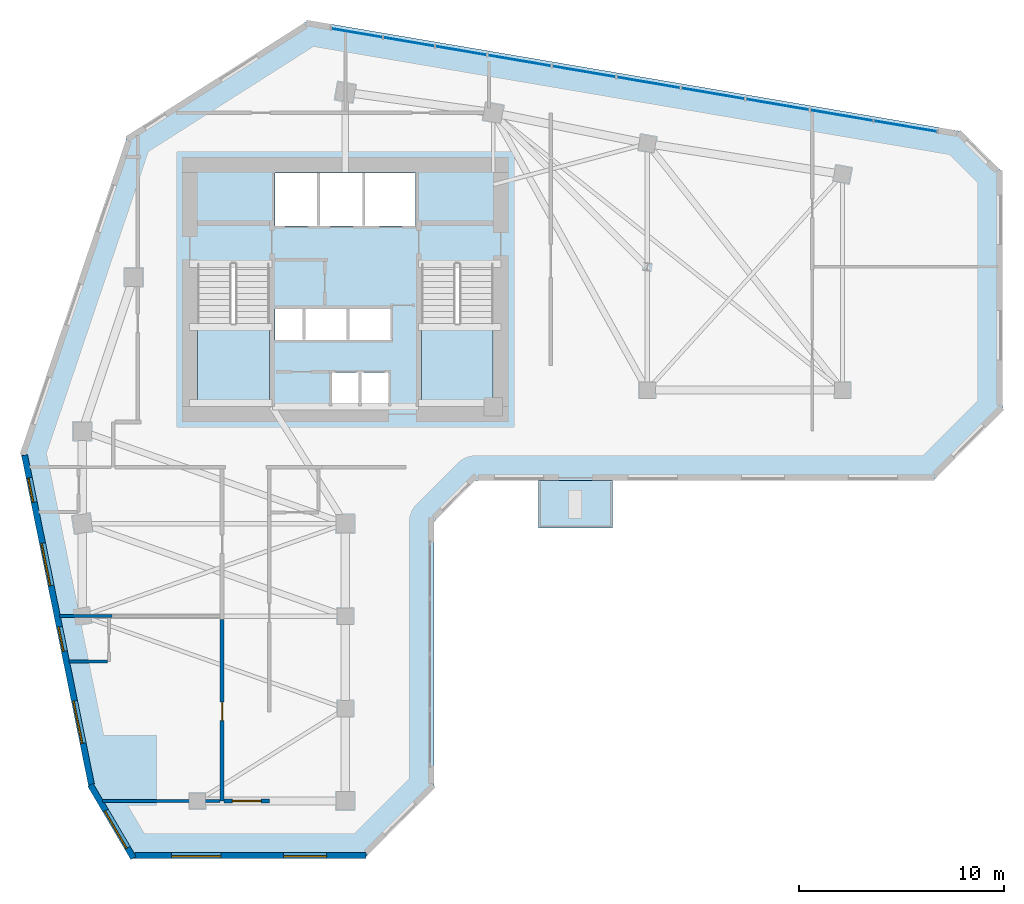
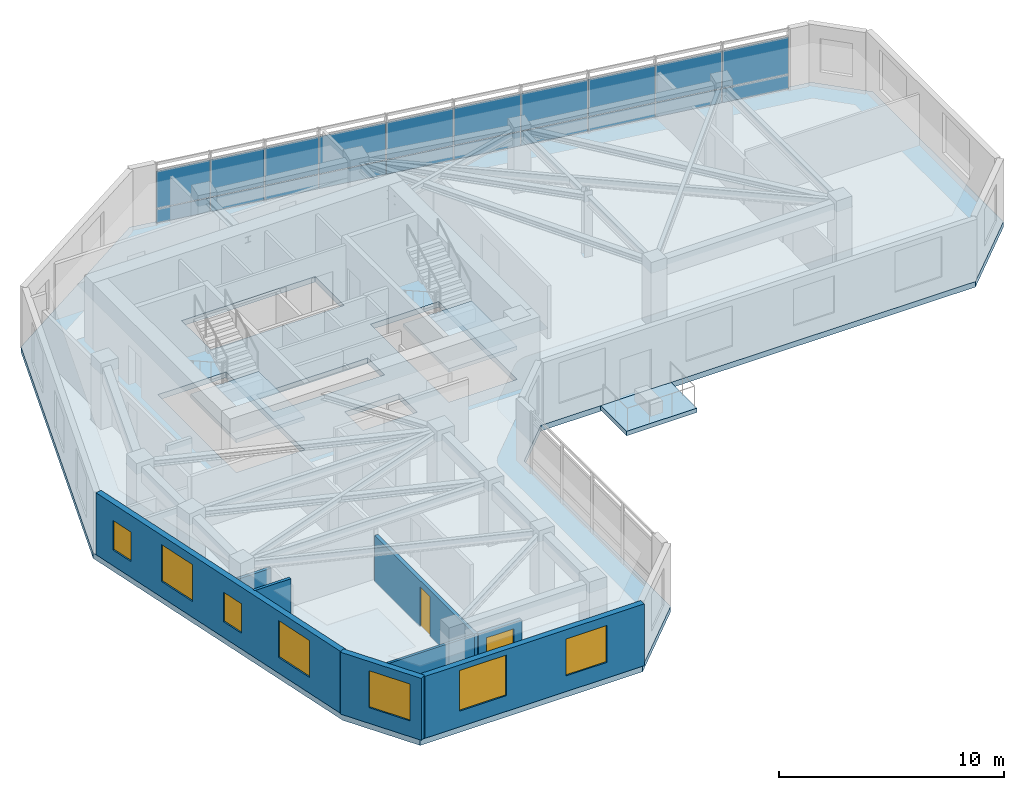
# One storey, part 4 of 10: 20 plates, 8 walls, 7 windows, 4 slabs, 2 doors, 9 openings, 3 elements without a shape of their own.
"""IFC4 building model written with IfcOpenShell, lengths in metres."""

from ifc_helpers import new_model, si_unit, direction, frame, frame_2d, origin, place, context, subcontext, project, spatial, polyline, rectangle, outline, extrude, source, transform, mapped, material, layer, layer_set, type_object, element, fill, aggregate, save


model = new_model("IFC4")

# Units and contexts
model_context = context("Model", 3, precision=1e-05, world=origin(), true_north=direction((0.0, 1.0)))
body_context = subcontext(model_context, "Body", "Model", "MODEL_VIEW")
ifc_project = project(units=[si_unit("LENGTHUNIT", "METRE"), si_unit("AREAUNIT", "SQUARE_METRE"), si_unit("VOLUMEUNIT", "CUBIC_METRE"), si_unit("PLANEANGLEUNIT", "RADIAN"), si_unit("MASSUNIT", "GRAM", prefix="KILO")], contexts=[model_context])

# Site, building, storey
site_placement = place(None, origin())
site = spatial("IfcSite", under=ifc_project, at=site_placement, CompositionType="ELEMENT")
building_placement = place(site_placement, origin())
building = spatial("IfcBuilding", under=site, at=building_placement, Name="Calvemar Wedge Station Tower", CompositionType="ELEMENT")
storey_placement = place(building_placement, frame((0.0, 0.0, 139.39990234375)))
storey = spatial("IfcBuildingStorey", under=building, at=storey_placement, Name="L34", CompositionType="ELEMENT", Elevation=139.39990234375)

# Curtain wall, plates
ifc_material_1 = material(Name="Anodised aluminium 6063-T6", Category="aluminium")
curtain_wall_type = type_object("IfcCurtainWallType", Name="CW2", PredefinedType="NOTDEFINED", material=ifc_material_1)
curtain_wall_placement = place(storey_placement, origin())
curtain_wall = element("IfcCurtainWall", 1, at=curtain_wall_placement, inside=storey, type_object=curtain_wall_type, Name="Storey L34 CW2 Recessed Unitised Curtain Wall 10", PredefinedType="NOTDEFINED")
ifc_material_2 = material(Name="Low-E laminated insulated glass", Category="glass")
ifc_layer_1 = layer(ifc_material_2, 0.028076171875)
ifc_layer_set_1 = layer_set([ifc_layer_1], Name="Low-E laminated insulated glass")
plate_type_1 = type_object("IfcPlateType", Name="CW2-GLZ", PredefinedType="CURTAIN_PANEL", material=ifc_layer_set_1)
plate_1_placement = place(storey_placement, frame((52.615478515625, 47.580322265625, 0.8701171875), z_axis=(0.0, 0.0, 1.0), x_axis=(-0.985834651401, 0.167720124306, 0.0)))
plate_1 = element("IfcPlate", 2, at=plate_1_placement, type_object=plate_type_1, Name="CW2 vision glass panel 1", PredefinedType="CURTAIN_PANEL", context=body_context, shape_type="SweptSolid", body=[
    extrude(rectangle(XDim=3.122314453125, YDim=0.028076171875, at=frame_2d((1.56103515625, 0.0))), origin(), (0.0, 0.0, 1.0), 2.010009765625),
])
plate_2_placement = place(storey_placement, frame((49.501953125, 48.10986328125, 0.8701171875), z_axis=(0.0, 0.0, 1.0), x_axis=(-0.9858453793, 0.167657055066, 0.0)))
plate_2 = element("IfcPlate", 3, at=plate_2_placement, type_object=plate_type_1, Name="CW2 vision glass panel 2", PredefinedType="CURTAIN_PANEL", context=body_context, shape_type="SweptSolid", body=[
    extrude(rectangle(XDim=3.1220703125, YDim=0.028076171875, at=frame_2d((1.56103515625, 0.0))), origin(), (0.0, 0.0, 1.0), 2.010009765625),
])
plate_3_placement = place(storey_placement, frame((46.388427734375, 48.639404296875, 0.8701171875), z_axis=(0.0, 0.0, 1.0), x_axis=(-0.985850081306, 0.167629404309, 0.0)))
plate_3 = element("IfcPlate", 4, at=plate_3_placement, type_object=plate_type_1, Name="CW2 vision glass panel 3", PredefinedType="CURTAIN_PANEL", context=body_context, shape_type="SweptSolid", body=[
    extrude(rectangle(XDim=3.148681640625, YDim=0.028076171875, at=frame_2d((1.57421875, 0.0))), origin(), (0.0, 0.0, 1.0), 2.010009765625),
])
plate_4_placement = place(storey_placement, frame((43.248779296875, 49.17333984375, 0.8701171875), z_axis=(0.0, 0.0, 1.0), x_axis=(-0.985835084584, 0.167717578099, 0.0)))
plate_4 = element("IfcPlate", 5, at=plate_4_placement, type_object=plate_type_1, Name="CW2 vision glass panel 4", PredefinedType="CURTAIN_PANEL", context=body_context, shape_type="SweptSolid", body=[
    extrude(rectangle(XDim=3.148681640625, YDim=0.028076171875, at=frame_2d((1.57421875, 0.0))), origin(), (0.0, 0.0, 1.0), 2.010009765625),
])
plate_5_placement = place(storey_placement, frame((40.109130859375, 49.707275390625, 0.8701171875), z_axis=(0.0, 0.0, 1.0), x_axis=(-0.985847902369, 0.167642218414, 0.0)))
plate_5 = element("IfcPlate", 6, at=plate_5_placement, type_object=plate_type_1, Name="CW2 vision glass panel 5", PredefinedType="CURTAIN_PANEL", context=body_context, shape_type="SweptSolid", body=[
    extrude(rectangle(XDim=3.148681640625, YDim=0.028076171875, at=frame_2d((1.57421875, 0.0))), origin(), (0.0, 0.0, 1.0), 2.010009765625),
])
plate_6_placement = place(storey_placement, frame((36.969482421875, 50.2412109375, 0.8701171875), z_axis=(0.0, 0.0, 1.0), x_axis=(-0.985847902369, 0.167642218414, 0.0)))
plate_6 = element("IfcPlate", 7, at=plate_6_placement, type_object=plate_type_1, Name="CW2 vision glass panel 6", PredefinedType="CURTAIN_PANEL", context=body_context, shape_type="SweptSolid", body=[
    extrude(rectangle(XDim=3.148681640625, YDim=0.028076171875, at=frame_2d((1.57421875, 0.0))), origin(), (0.0, 0.0, 1.0), 2.010009765625),
])
plate_7_placement = place(storey_placement, frame((33.830078125, 50.775146484375, 0.8701171875), z_axis=(0.0, 0.0, 1.0), x_axis=(-0.985850081306, 0.167629404309, 0.0)))
plate_7 = element("IfcPlate", 8, at=plate_7_placement, type_object=plate_type_1, Name="CW2 vision glass panel 7", PredefinedType="CURTAIN_PANEL", context=body_context, shape_type="SweptSolid", body=[
    extrude(rectangle(XDim=3.148681640625, YDim=0.028076171875, at=frame_2d((1.57421875, 0.0))), origin(), (0.0, 0.0, 1.0), 2.010009765625),
])
plate_8_placement = place(storey_placement, frame((30.6904296875, 51.30908203125, 0.8701171875), z_axis=(0.0, 0.0, 1.0), x_axis=(-0.985852344868, 0.167616091467, 0.0)))
plate_8 = element("IfcPlate", 9, at=plate_8_placement, type_object=plate_type_1, Name="CW2 vision glass panel 8", PredefinedType="CURTAIN_PANEL", context=body_context, shape_type="SweptSolid", body=[
    extrude(rectangle(XDim=2.534423828125, YDim=0.028076171875, at=frame_2d((1.26708984375, 0.0))), origin(), (0.0, 0.0, 1.0), 2.010009765625),
])
plate_9_placement = place(storey_placement, frame((28.156494140625, 51.739990234375, 0.8701171875), z_axis=(0.0, 0.0, 1.0), x_axis=(-0.985852344868, 0.167616091467, 0.0)))
plate_9 = element("IfcPlate", 10, at=plate_9_placement, type_object=plate_type_1, Name="CW2 vision glass panel 9", PredefinedType="CURTAIN_PANEL", context=body_context, shape_type="SweptSolid", body=[
    extrude(rectangle(XDim=2.534423828125, YDim=0.028076171875, at=frame_2d((1.26708984375, 0.0))), origin(), (0.0, 0.0, 1.0), 2.010009765625),
])
plate_10_placement = place(storey_placement, frame((25.622314453125, 52.1708984375, 0.8701171875), z_axis=(0.0, 0.0, 1.0), x_axis=(-0.985833712673, 0.16772564192, 0.0)))
plate_10 = element("IfcPlate", 11, at=plate_10_placement, type_object=plate_type_1, Name="CW2 vision glass panel 10", PredefinedType="CURTAIN_PANEL", context=body_context, shape_type="SweptSolid", body=[
    extrude(rectangle(XDim=2.5341796875, YDim=0.028076171875, at=frame_2d((1.26708984375, 0.0))), origin(), (0.0, 0.0, 1.0), 2.010009765625),
])
ifc_material_3 = material(Name="Oxidized bronze aluminium spandrel panel 5005-H24", Category="aluminium")
ifc_layer_2 = layer(ifc_material_3, 0.0400390625)
ifc_layer_set_2 = layer_set([ifc_layer_2], Name="Oxidized bronze aluminium spandrel panel 5005-H24")
plate_type_2 = type_object("IfcPlateType", Name="CW2-SPD", PredefinedType="SHEET", material=ifc_layer_set_2)
plate_11_placement = place(storey_placement, frame((52.615478515625, 47.580322265625, 0.080078125), z_axis=(0.0, 0.0, 1.0), x_axis=(-0.985834651401, 0.167720124306, 0.0)))
plate_11 = element("IfcPlate", 12, at=plate_11_placement, type_object=plate_type_2, Name="CW2 bronze spandrel panel 1", PredefinedType="SHEET", context=body_context, shape_type="SweptSolid", body=[
    extrude(rectangle(XDim=3.122314453125, YDim=0.0400390625, at=frame_2d((1.56103515625, 0.0))), origin(), (0.0, 0.0, 1.0), 0.75),
])
plate_12_placement = place(storey_placement, frame((49.501953125, 48.10986328125, 0.080078125), z_axis=(0.0, 0.0, 1.0), x_axis=(-0.9858453793, 0.167657055066, 0.0)))
plate_12 = element("IfcPlate", 13, at=plate_12_placement, type_object=plate_type_2, Name="CW2 bronze spandrel panel 2", PredefinedType="SHEET", context=body_context, shape_type="SweptSolid", body=[
    extrude(rectangle(XDim=3.1220703125, YDim=0.0400390625, at=frame_2d((1.56103515625, 0.0))), origin(), (0.0, 0.0, 1.0), 0.75),
])
plate_13_placement = place(storey_placement, frame((46.388427734375, 48.639404296875, 0.080078125), z_axis=(0.0, 0.0, 1.0), x_axis=(-0.985850081306, 0.167629404309, 0.0)))
plate_13 = element("IfcPlate", 14, at=plate_13_placement, type_object=plate_type_2, Name="CW2 bronze spandrel panel 3", PredefinedType="SHEET", context=body_context, shape_type="SweptSolid", body=[
    extrude(rectangle(XDim=3.148681640625, YDim=0.0400390625, at=frame_2d((1.57421875, 0.0))), origin(), (0.0, 0.0, 1.0), 0.75),
])
plate_14_placement = place(storey_placement, frame((43.248779296875, 49.17333984375, 0.080078125), z_axis=(0.0, 0.0, 1.0), x_axis=(-0.985835084584, 0.167717578099, 0.0)))
plate_14 = element("IfcPlate", 15, at=plate_14_placement, type_object=plate_type_2, Name="CW2 bronze spandrel panel 4", PredefinedType="SHEET", context=body_context, shape_type="SweptSolid", body=[
    extrude(rectangle(XDim=3.148681640625, YDim=0.0400390625, at=frame_2d((1.57421875, 0.0))), origin(), (0.0, 0.0, 1.0), 0.75),
])
plate_15_placement = place(storey_placement, frame((40.109130859375, 49.707275390625, 0.080078125), z_axis=(0.0, 0.0, 1.0), x_axis=(-0.985847902369, 0.167642218414, 0.0)))
plate_15 = element("IfcPlate", 16, at=plate_15_placement, type_object=plate_type_2, Name="CW2 bronze spandrel panel 5", PredefinedType="SHEET", context=body_context, shape_type="SweptSolid", body=[
    extrude(rectangle(XDim=3.148681640625, YDim=0.0400390625, at=frame_2d((1.57421875, 0.0))), origin(), (0.0, 0.0, 1.0), 0.75),
])
plate_16_placement = place(storey_placement, frame((36.969482421875, 50.2412109375, 0.080078125), z_axis=(0.0, 0.0, 1.0), x_axis=(-0.985847902369, 0.167642218414, 0.0)))
plate_16 = element("IfcPlate", 17, at=plate_16_placement, type_object=plate_type_2, Name="CW2 bronze spandrel panel 6", PredefinedType="SHEET", context=body_context, shape_type="SweptSolid", body=[
    extrude(rectangle(XDim=3.148681640625, YDim=0.0400390625, at=frame_2d((1.57421875, 0.0))), origin(), (0.0, 0.0, 1.0), 0.75),
])
plate_17_placement = place(storey_placement, frame((33.830078125, 50.775146484375, 0.080078125), z_axis=(0.0, 0.0, 1.0), x_axis=(-0.985850081306, 0.167629404309, 0.0)))
plate_17 = element("IfcPlate", 18, at=plate_17_placement, type_object=plate_type_2, Name="CW2 bronze spandrel panel 7", PredefinedType="SHEET", context=body_context, shape_type="SweptSolid", body=[
    extrude(rectangle(XDim=3.148681640625, YDim=0.0400390625, at=frame_2d((1.57421875, 0.0))), origin(), (0.0, 0.0, 1.0), 0.75),
])
plate_18_placement = place(storey_placement, frame((30.6904296875, 51.30908203125, 0.080078125), z_axis=(0.0, 0.0, 1.0), x_axis=(-0.985852344868, 0.167616091467, 0.0)))
plate_18 = element("IfcPlate", 19, at=plate_18_placement, type_object=plate_type_2, Name="CW2 bronze spandrel panel 8", PredefinedType="SHEET", context=body_context, shape_type="SweptSolid", body=[
    extrude(rectangle(XDim=2.534423828125, YDim=0.0400390625, at=frame_2d((1.26708984375, 0.0))), origin(), (0.0, 0.0, 1.0), 0.75),
])
plate_19_placement = place(storey_placement, frame((28.156494140625, 51.739990234375, 0.080078125), z_axis=(0.0, 0.0, 1.0), x_axis=(-0.985852344868, 0.167616091467, 0.0)))
plate_19 = element("IfcPlate", 20, at=plate_19_placement, type_object=plate_type_2, Name="CW2 bronze spandrel panel 9", PredefinedType="SHEET", context=body_context, shape_type="SweptSolid", body=[
    extrude(rectangle(XDim=2.534423828125, YDim=0.0400390625, at=frame_2d((1.26708984375, 0.0))), origin(), (0.0, 0.0, 1.0), 0.75),
])
plate_20_placement = place(storey_placement, frame((25.622314453125, 52.1708984375, 0.080078125), z_axis=(0.0, 0.0, 1.0), x_axis=(-0.985833712673, 0.16772564192, 0.0)))
plate_20 = element("IfcPlate", 21, at=plate_20_placement, type_object=plate_type_2, Name="CW2 bronze spandrel panel 10", PredefinedType="SHEET", context=body_context, shape_type="SweptSolid", body=[
    extrude(rectangle(XDim=2.5341796875, YDim=0.0400390625, at=frame_2d((1.26708984375, 0.0))), origin(), (0.0, 0.0, 1.0), 0.75),
])
aggregate(curtain_wall, [plate_11, plate_1, plate_12, plate_2, plate_13, plate_3, plate_14, plate_4, plate_15, plate_5, plate_16, plate_6, plate_17, plate_7, plate_18, plate_8, plate_19, plate_9, plate_20, plate_10])

# Slab
ifc_material_4 = material(Name="Concrete C50", Category="concrete")
ifc_layer_3 = layer(ifc_material_4, 0.300048828125)
ifc_layer_set_3 = layer_set([ifc_layer_3], Name="Concrete C50")
slab_type_1 = type_object("IfcSlabType", Name="SL-REF-300", PredefinedType="FLOOR", material=ifc_layer_set_3)
slab_1_placement = place(storey_placement, frame((0.0, 0.0, -0.2998046875)))
element("IfcSlab", 22, at=slab_1_placement, inside=storey, type_object=slab_type_1, Name="Storey L34 Structural Floor Slab", PredefinedType="FLOOR", context=body_context, shape_type="SweptSolid", body=[
    extrude(outline(polyline([(8.0, 32.0), (11.327880859375, 15.60009765625), (13.327880859375, 12.199951171875), (24.72802734375, 12.199951171875), (28.1279296875, 15.60009765625), (28.1279296875, 28.592041015625), (30.1279296875, 30.592041015625), (52.39990234375, 30.592041015625), (55.800048828125, 33.991943359375), (55.800048828125, 45.592041015625), (53.800048828125, 47.592041015625), (22.0, 53.0), (13.199951171875, 47.39990234375), (8.0, 32.0)]), holes=[polyline([(24.52001953125, 35.85009765625), (24.510009765625, 35.85009765625), (23.1201171875, 35.85009765625), (23.1201171875, 34.219970703125), (24.510009765625, 34.219970703125), (24.52001953125, 34.219970703125), (25.909912109375, 34.219970703125), (25.909912109375, 35.85009765625), (24.52001953125, 35.85009765625)]), polyline([(16.60009765625, 34.199951171875), (20.10009765625, 34.199951171875), (20.10009765625, 41.14990234375), (16.60009765625, 41.14990234375), (16.60009765625, 34.199951171875)]), polyline([(27.5, 34.199951171875), (31.0, 34.199951171875), (31.0, 41.14990234375), (27.5, 41.14990234375), (27.5, 34.199951171875)]), polyline([(21.800048828125, 38.949951171875), (21.7900390625, 38.949951171875), (20.3798828125, 38.949951171875), (20.3798828125, 37.449951171875), (21.7900390625, 37.449951171875), (21.800048828125, 37.449951171875), (23.929931640625, 37.449951171875), (23.93994140625, 37.449951171875), (26.080078125, 37.449951171875), (26.080078125, 38.949951171875), (23.93994140625, 38.949951171875), (23.929931640625, 38.949951171875), (21.800048828125, 38.949951171875)]), polyline([(27.219970703125, 43.0), (27.219970703125, 45.580078125), (20.3798828125, 45.580078125), (20.3798828125, 43.0), (27.219970703125, 43.0)])]), origin(), (0.0, 0.0, 1.0), 0.2998046875),
])

# Stair, slab
ifc_material_5 = material(Name="Concrete C45", Category="concrete")
stair_type = type_object("IfcStairType", Name="ST-TYPE-3600", PredefinedType="HALF_TURN_STAIR", material=ifc_material_5)
stair_1_placement = place(storey_placement, origin())
stair_1 = element("IfcStair", 23, at=stair_1_placement, inside=storey, type_object=stair_type, Name="L34 Pressurized Core Exit Stair ST-C1", PredefinedType="HALF_TURN_STAIR")
ifc_layer_4 = layer(ifc_material_5, 0.199951171875)
ifc_layer_set_4 = layer_set([ifc_layer_4], Name="Concrete C45")
slab_type_2 = type_object("IfcSlabType", Name="SL-STAIR-LND-200", PredefinedType="LANDING", material=ifc_layer_set_4)
slab_2_placement = place(storey_placement, frame((0.0, 0.0, 1.60009765625)))
slab_2 = element("IfcSlab", 24, at=slab_2_placement, type_object=slab_type_2, Name="ST-C1 landing 1", PredefinedType="LANDING", context=body_context, shape_type="SweptSolid", body=[
    extrude(outline(polyline([(16.60009765625, 38.25), (16.60009765625, 34.199951171875), (20.10009765625, 34.199951171875), (20.10009765625, 38.25), (16.60009765625, 38.25)])), origin(), (0.0, 0.0, 1.0), 0.199951171875),
])
aggregate(stair_1, [slab_2])

stair_2_placement = place(storey_placement, origin())
stair_2 = element("IfcStair", 25, at=stair_2_placement, inside=storey, type_object=stair_type, Name="L34 Pressurized Core Exit Stair ST-C2", PredefinedType="HALF_TURN_STAIR")
slab_3_placement = place(storey_placement, frame((0.0, 0.0, 1.60009765625)))
slab_3 = element("IfcSlab", 26, at=slab_3_placement, type_object=slab_type_2, Name="ST-C2 landing 1", PredefinedType="LANDING", context=body_context, shape_type="SweptSolid", body=[
    extrude(outline(polyline([(27.5, 38.25), (27.5, 34.199951171875), (31.0, 34.199951171875), (31.0, 38.25), (27.5, 38.25)])), origin(), (0.0, 0.0, 1.0), 0.199951171875),
])
aggregate(stair_2, [slab_3])

# Slab
ifc_layer_5 = layer(ifc_material_5, 0.239990234375)
ifc_layer_set_5 = layer_set([ifc_layer_5], Name="Concrete C45")
slab_type_3 = type_object("IfcSlabType", Name="SL-TERR-240", PredefinedType="FLOOR", material=ifc_layer_set_5)
slab_4_placement = place(storey_placement, frame((0.0, 0.0, -0.239990234375)))
element("IfcSlab", 27, at=slab_4_placement, inside=storey, type_object=slab_type_3, Name="Storey L34 Planted Spiral Terrace Slab", PredefinedType="FLOOR", context=body_context, shape_type="SweptSolid", body=[
    extrude(outline(polyline([(33.199951171875, 30.592041015625), (33.199951171875, 28.2919921875), (36.800048828125, 28.2919921875), (36.800048828125, 30.592041015625), (33.199951171875, 30.592041015625)])), origin(), (0.0, 0.0, 1.0), 0.239990234375),
])

# Wall, opening, door
ifc_material_6 = material(Name="Double-stud fire-rated corridor partition")
ifc_layer_6 = layer(ifc_material_6, 0.179931640625)
ifc_layer_set_6 = layer_set([ifc_layer_6], Name="Double-stud fire-rated corridor partition")
wall_type_1 = type_object("IfcWallType", Name="W-CORR-180", PredefinedType="PARTITIONING", material=ifc_layer_set_6)
wall_1_placement = place(storey_placement, frame((17.800048828125, 15.0, 0.0), z_axis=(0.0, 0.0, 1.0), x_axis=(0.0, 1.0, 0.0)))
wall_1 = element("IfcWall", 28, at=wall_1_placement, inside=storey, type_object=wall_type_1, Name="Storey L34 Interior Partition WL-L34-023", PredefinedType="PARTITIONING", context=body_context, shape_type="SweptSolid", body=[
    extrude(rectangle(XDim=8.837890625, YDim=0.179931640625, at=frame_2d((4.4189453125, 0.0))), origin(), (0.0, 0.0, 1.0), 2.4921875),
])
shared_shape_1 = source(origin(), body_context, "Body", "SweptSolid", [
    extrude(rectangle(XDim=0.89990234375, YDim=2.14990234375, at=frame_2d((0.449951171875, 1.074951171875))), frame((0.0, 0.10009765625, 0.0), z_axis=(0.0, -1.0, 0.0), x_axis=(1.0, 0.0, 0.0)), (0.0, 0.0, 1.0), 0.199951171875),
])
opening_1_placement = place(wall_1_placement, frame((3.908447265625, 0.0, 0.0)))
opening_1 = element("IfcOpeningElement", 29, at=opening_1_placement, cuts=wall_1, Name="Opening FD-60", PredefinedType="OPENING", context=body_context, shape_type="MappedRepresentation", body=[
    mapped(shared_shape_1, transform((0.0, 0.0, 0.0), scale=1.0)),
])
ifc_material_7 = material(Name="Fire-rated acoustic timber-core entrance door EI 60", Category="wood")
door_type_1 = type_object("IfcDoorType", Name="DR-FD60-900", OperationType="NOTDEFINED", PredefinedType="DOOR", material=ifc_material_7)
shared_shape_2 = source(origin(), body_context, "Body", "SweptSolid", [
    extrude(rectangle(XDim=0.89990234375, YDim=2.14990234375, at=frame_2d((0.449951171875, 1.074951171875))), frame((0.0, 0.02490234375, 0.0), z_axis=(0.0, -1.0, 0.0), x_axis=(1.0, 0.0, 0.0)), (0.0, 0.0, 1.0), 0.050048828125),
])
door_1_placement = place(opening_1_placement, origin())
door_1 = element("IfcDoor", 30, at=door_1_placement, inside=storey, type_object=door_type_1, Name="L34 Hotel Guest Room Door", OperationType="SINGLE_SWING_RIGHT", OverallHeight=2.14990234375, OverallWidth=0.89990234375, PredefinedType="DOOR", context=body_context, shape_type="MappedRepresentation", body=[
    mapped(shared_shape_2, transform((0.0, 0.0, 0.0), scale=1.0)),
])
fill(opening_1, door_1)

wall_2_placement = place(storey_placement, frame((20.10009765625, 15.0, 0.0), z_axis=(0.0, 0.0, 1.0), x_axis=(-1.0, 0.0, 0.0)))
wall_2 = element("IfcWall", 31, at=wall_2_placement, inside=storey, type_object=wall_type_1, Name="Storey L34 Interior Partition WL-L34-026", PredefinedType="PARTITIONING", context=body_context, shape_type="SweptSolid", body=[
    extrude(rectangle(XDim=2.2060546875, YDim=0.179931640625, at=frame_2d((1.10302734375, 0.0))), origin(), (0.0, 0.0, 1.0), 2.4921875),
])
shared_shape_3 = source(origin(), body_context, "Body", "SweptSolid", [
    extrude(rectangle(XDim=1.39990234375, YDim=2.14990234375, at=frame_2d((0.699951171875, 1.074951171875))), frame((0.0, 0.10009765625, 0.0), z_axis=(0.0, -1.0, 0.0), x_axis=(1.0, 0.0, 0.0)), (0.0, 0.0, 1.0), 0.199951171875),
])
opening_2_placement = place(wall_2_placement, frame((0.403076171875, 0.0, 0.0)))
opening_2 = element("IfcOpeningElement", 32, at=opening_2_placement, cuts=wall_2, Name="Opening DD-140", PredefinedType="OPENING", context=body_context, shape_type="MappedRepresentation", body=[
    mapped(shared_shape_3, transform((0.0, 0.0, 0.0), scale=1.0)),
])
ifc_material_8 = material(Name="Double-leaf corridor acoustic fire door EI 60")
door_type_2 = type_object("IfcDoorType", Name="DR-DBL-1400", OperationType="DOUBLE_DOOR_SINGLE_SWING", PredefinedType="DOOR", material=ifc_material_8)
shared_shape_4 = source(origin(), body_context, "Body", "SweptSolid", [
    extrude(rectangle(XDim=1.39990234375, YDim=2.14990234375, at=frame_2d((0.699951171875, 1.074951171875))), frame((0.0, 0.02490234375, 0.0), z_axis=(0.0, -1.0, 0.0), x_axis=(1.0, 0.0, 0.0)), (0.0, 0.0, 1.0), 0.050048828125),
])
door_2_placement = place(opening_2_placement, origin())
door_2 = element("IfcDoor", 33, at=door_2_placement, inside=storey, type_object=door_type_2, Name="L34 Executive Sky Lounge Door", OperationType="SINGLE_SWING_LEFT", OverallHeight=2.14990234375, OverallWidth=1.39990234375, PredefinedType="DOOR", context=body_context, shape_type="MappedRepresentation", body=[
    mapped(shared_shape_4, transform((0.0, 0.0, 0.0), scale=1.0)),
])
fill(opening_2, door_2)

# Wall, opening, window
ifc_material_9 = material(Name="Precast concrete C45", Category="concrete")
ifc_layer_7 = layer(ifc_material_9, 0.300048828125)
ifc_layer_set_7 = layer_set([ifc_layer_7], Name="Precast concrete C45")
wall_type_2 = type_object("IfcWallType", Name="W-EXT-GFRC-300", PredefinedType="SOLIDWALL", material=ifc_layer_set_7)
wall_3_placement = place(storey_placement, frame((11.39404296875, 15.78369140625, 0.0), z_axis=(0.0, 0.0, 1.0), x_axis=(0.50698915279, -0.861952434275, 0.0)))
wall_3 = element("IfcWall", 34, at=wall_3_placement, inside=storey, type_object=wall_type_2, Name="Storey L34 Bronze GFRC Exterior Wall 1", PredefinedType="SOLIDWALL", context=body_context, shape_type="SweptSolid", body=[
    extrude(rectangle(XDim=4.133544921875, YDim=0.300048828125, at=frame_2d((2.06689453125, 0.0))), origin(), (0.0, 0.0, 1.0), 3.35009765625),
])
shared_shape_5 = source(origin(), body_context, "Body", "SweptSolid", [
    extrude(rectangle(XDim=2.10009765625, YDim=2.0, at=frame_2d((1.050048828125, 1.0))), frame((0.0, 0.16015625, 0.0), z_axis=(0.0, -1.0, 0.0), x_axis=(1.0, 0.0, 0.0)), (0.0, 0.0, 1.0), 0.320068359375),
])
opening_3_placement = place(wall_3_placement, frame((1.455078125, 0.0, 0.85009765625)))
opening_3 = element("IfcOpeningElement", 35, at=opening_3_placement, cuts=wall_3, Name="Opening W4", PredefinedType="OPENING", context=body_context, shape_type="MappedRepresentation", body=[
    mapped(shared_shape_5, transform((0.0, 0.0, 0.0), scale=1.0)),
])
window_type_1 = type_object("IfcWindowType", Name="WIN-EXT-4", PartitioningType="SINGLE_PANEL", PredefinedType="WINDOW", material=ifc_material_2)
shared_shape_6 = source(origin(), body_context, "Body", "SweptSolid", [
    extrude(rectangle(XDim=2.10009765625, YDim=2.0, at=frame_2d((1.050048828125, 1.0))), frame((0.0, -0.014892578125, 0.0), z_axis=(0.0, -1.0, 0.0), x_axis=(1.0, 0.0, 0.0)), (0.0, 0.0, 1.0), 0.06005859375),
])
window_1_placement = place(opening_3_placement, origin())
window_1 = element("IfcWindow", 36, at=window_1_placement, inside=storey, type_object=window_type_1, Name="Storey L34 Recessed Window 1.1", OverallHeight=2.0, OverallWidth=2.10009765625, PartitioningType="SINGLE_PANEL", PredefinedType="WINDOW", context=body_context, shape_type="MappedRepresentation", body=[
    mapped(shared_shape_6, transform((0.0, 0.0, 0.0), scale=1.0)),
])
fill(opening_3, window_1)

# Wall, openings, windows
wall_4_placement = place(storey_placement, frame((13.57373046875, 12.35009765625, 0.0), z_axis=(0.0, 0.0, 1.0), x_axis=(1.0, 0.0, 0.0)))
wall_4 = element("IfcWall", 37, at=wall_4_placement, inside=storey, type_object=wall_type_2, Name="Storey L34 Bronze GFRC Exterior Wall 2", PredefinedType="SOLIDWALL", context=body_context, shape_type="SweptSolid", body=[
    extrude(rectangle(XDim=11.2421875, YDim=0.300048828125, at=frame_2d((5.62109375, 0.0))), origin(), (0.0, 0.0, 1.0), 3.35009765625),
])
shared_shape_7 = source(origin(), body_context, "Body", "SweptSolid", [
    extrude(rectangle(XDim=2.39990234375, YDim=2.199951171875, at=frame_2d((1.199951171875, 1.10009765625))), frame((0.0, 0.16015625, 0.0), z_axis=(0.0, -1.0, 0.0), x_axis=(1.0, 0.0, 0.0)), (0.0, 0.0, 1.0), 0.320068359375),
])
opening_4_placement = place(wall_4_placement, frame((1.77099609375, 0.0, 0.85009765625)))
opening_4 = element("IfcOpeningElement", 38, at=opening_4_placement, cuts=wall_4, Name="Opening W1", PredefinedType="OPENING", context=body_context, shape_type="MappedRepresentation", body=[
    mapped(shared_shape_7, transform((0.0, 0.0, 0.0), scale=1.0)),
])
opening_5_placement = place(wall_4_placement, frame((7.221923828125, 0.0, 0.85009765625)))
opening_5 = element("IfcOpeningElement", 39, at=opening_5_placement, cuts=wall_4, Name="Opening W4", PredefinedType="OPENING", context=body_context, shape_type="MappedRepresentation", body=[
    mapped(shared_shape_5, transform((0.0, 0.0, 0.0), scale=1.0)),
])
window_2_placement = place(opening_5_placement, origin())
window_2 = element("IfcWindow", 40, at=window_2_placement, inside=storey, type_object=window_type_1, Name="Storey L34 Recessed Window 2.2", OverallHeight=2.0, OverallWidth=2.10009765625, PartitioningType="SINGLE_PANEL", PredefinedType="WINDOW", context=body_context, shape_type="MappedRepresentation", body=[
    mapped(shared_shape_6, transform((0.0, 0.0, 0.0), scale=1.0)),
])
fill(opening_5, window_2)
window_type_2 = type_object("IfcWindowType", Name="WIN-EXT-1", PartitioningType="SINGLE_PANEL", PredefinedType="WINDOW", material=ifc_material_2)
shared_shape_8 = source(origin(), body_context, "Body", "SweptSolid", [
    extrude(rectangle(XDim=2.39990234375, YDim=2.199951171875, at=frame_2d((1.199951171875, 1.10009765625))), frame((0.0, -0.014892578125, 0.0), z_axis=(0.0, -1.0, 0.0), x_axis=(1.0, 0.0, 0.0)), (0.0, 0.0, 1.0), 0.06005859375),
])
window_3_placement = place(opening_4_placement, origin())
window_3 = element("IfcWindow", 41, at=window_3_placement, inside=storey, type_object=window_type_2, Name="Storey L34 Recessed Window 2.1", OverallHeight=2.199951171875, OverallWidth=2.39990234375, PartitioningType="SINGLE_PANEL", PredefinedType="WINDOW", context=body_context, shape_type="MappedRepresentation", body=[
    mapped(shared_shape_8, transform((0.0, 0.0, 0.0), scale=1.0)),
])
fill(opening_4, window_3)

wall_5_placement = place(storey_placement, frame((8.186767578125, 31.833740234375, 0.0), z_axis=(0.0, 0.0, 1.0), x_axis=(0.198869838988, -0.980025911464, 0.0)))
wall_5 = element("IfcWall", 42, at=wall_5_placement, inside=storey, type_object=wall_type_2, Name="Storey L34 Bronze GFRC Exterior Wall 13", PredefinedType="SOLIDWALL", context=body_context, shape_type="SweptSolid", body=[
    extrude(rectangle(XDim=16.36328125, YDim=0.300048828125, at=frame_2d((8.181640625, 0.0))), origin(), (0.0, 0.0, 1.0), 3.35009765625),
])
shared_shape_9 = source(origin(), body_context, "Body", "SweptSolid", [
    extrude(rectangle(XDim=1.199951171875, YDim=1.60009765625, at=frame_2d((0.60009765625, 0.800048828125))), frame((0.0, 0.16015625, 0.0), z_axis=(0.0, -1.0, 0.0), x_axis=(1.0, 0.0, 0.0)), (0.0, 0.0, 1.0), 0.320068359375),
])
opening_6_placement = place(wall_5_placement, frame((1.131103515625, 0.0, 0.85009765625)))
opening_6 = element("IfcOpeningElement", 43, at=opening_6_placement, cuts=wall_5, Name="Opening W5", PredefinedType="OPENING", context=body_context, shape_type="MappedRepresentation", body=[
    mapped(shared_shape_9, transform((0.0, 0.0, 0.0), scale=1.0)),
])
opening_7_placement = place(wall_5_placement, frame((4.3798828125, 0.0, 0.85009765625)))
opening_7 = element("IfcOpeningElement", 44, at=opening_7_placement, cuts=wall_5, Name="Opening W4", PredefinedType="OPENING", context=body_context, shape_type="MappedRepresentation", body=[
    mapped(shared_shape_5, transform((0.0, 0.0, 0.0), scale=1.0)),
])
opening_8_placement = place(wall_5_placement, frame((8.5390625, 0.0, 0.85009765625)))
opening_8 = element("IfcOpeningElement", 45, at=opening_8_placement, cuts=wall_5, Name="Opening W5", PredefinedType="OPENING", context=body_context, shape_type="MappedRepresentation", body=[
    mapped(shared_shape_9, transform((0.0, 0.0, 0.0), scale=1.0)),
])
opening_9_placement = place(wall_5_placement, frame((12.2119140625, 0.0, 0.85009765625)))
opening_9 = element("IfcOpeningElement", 46, at=opening_9_placement, cuts=wall_5, Name="Opening W4", PredefinedType="OPENING", context=body_context, shape_type="MappedRepresentation", body=[
    mapped(shared_shape_5, transform((0.0, 0.0, 0.0), scale=1.0)),
])
window_4_placement = place(opening_7_placement, origin())
window_4 = element("IfcWindow", 47, at=window_4_placement, inside=storey, type_object=window_type_1, Name="Storey L34 Recessed Window 13.2", OverallHeight=2.0, OverallWidth=2.10009765625, PartitioningType="SINGLE_PANEL", PredefinedType="WINDOW", context=body_context, shape_type="MappedRepresentation", body=[
    mapped(shared_shape_6, transform((0.0, 0.0, 0.0), scale=1.0)),
])
fill(opening_7, window_4)
window_5_placement = place(opening_9_placement, origin())
window_5 = element("IfcWindow", 48, at=window_5_placement, inside=storey, type_object=window_type_1, Name="Storey L34 Recessed Window 13.4", OverallHeight=2.0, OverallWidth=2.10009765625, PartitioningType="SINGLE_PANEL", PredefinedType="WINDOW", context=body_context, shape_type="MappedRepresentation", body=[
    mapped(shared_shape_6, transform((0.0, 0.0, 0.0), scale=1.0)),
])
fill(opening_9, window_5)
window_type_3 = type_object("IfcWindowType", Name="WIN-EXT-5", PartitioningType="SINGLE_PANEL", PredefinedType="WINDOW", material=ifc_material_2)
shared_shape_10 = source(origin(), body_context, "Body", "SweptSolid", [
    extrude(rectangle(XDim=1.199951171875, YDim=1.60009765625, at=frame_2d((0.60009765625, 0.800048828125))), frame((0.0, -0.014892578125, 0.0), z_axis=(0.0, -1.0, 0.0), x_axis=(1.0, 0.0, 0.0)), (0.0, 0.0, 1.0), 0.06005859375),
])
window_6_placement = place(opening_6_placement, origin())
window_6 = element("IfcWindow", 49, at=window_6_placement, inside=storey, type_object=window_type_3, Name="Storey L34 Recessed Window 13.1", OverallHeight=1.60009765625, OverallWidth=1.199951171875, PartitioningType="SINGLE_PANEL", PredefinedType="WINDOW", context=body_context, shape_type="MappedRepresentation", body=[
    mapped(shared_shape_10, transform((0.0, 0.0, 0.0), scale=1.0)),
])
fill(opening_6, window_6)
window_7_placement = place(opening_8_placement, origin())
window_7 = element("IfcWindow", 50, at=window_7_placement, inside=storey, type_object=window_type_3, Name="Storey L34 Recessed Window 13.3", OverallHeight=1.60009765625, OverallWidth=1.199951171875, PartitioningType="SINGLE_PANEL", PredefinedType="WINDOW", context=body_context, shape_type="MappedRepresentation", body=[
    mapped(shared_shape_10, transform((0.0, 0.0, 0.0), scale=1.0)),
])
fill(opening_8, window_7)

# Walls
ifc_material_10 = material(Name="Insulated acoustic gypsum stud partition")
ifc_layer_8 = layer(ifc_material_10, 0.125)
ifc_layer_set_8 = layer_set([ifc_layer_8], Name="Insulated acoustic gypsum stud partition")
wall_type_3 = type_object("IfcWallType", Name="W-PART-125", PredefinedType="PARTITIONING", material=ifc_layer_set_8)
wall_6_placement = place(storey_placement, frame((17.7060546875, 15.0, 0.0), z_axis=(0.0, 0.0, 1.0), x_axis=(-1.0, 0.0, 0.0)))
element("IfcWall", 51, at=wall_6_placement, inside=storey, type_object=wall_type_3, Name="Storey L34 Interior Partition WL-L34-033", PredefinedType="PARTITIONING", context=body_context, shape_type="SweptSolid", body=[
    extrude(rectangle(XDim=5.7177734375, YDim=0.125, at=frame_2d((2.85888671875, 0.0))), origin(), (0.0, 0.0, 1.0), 2.4921875),
])
ifc_material_11 = material(Name="Moisture-resistant acoustic bathroom partition")
ifc_layer_9 = layer(ifc_material_11, 0.14990234375)
ifc_layer_set_9 = layer_set([ifc_layer_9], Name="Moisture-resistant acoustic bathroom partition")
wall_type_4 = type_object("IfcWallType", Name="W-WET-150", PredefinedType="PARTITIONING", material=ifc_layer_set_9)
wall_7_placement = place(storey_placement, frame((12.453857421875, 24.0, 0.0), z_axis=(0.0, 0.0, 1.0), x_axis=(-1.0, 0.0, 0.0)))
element("IfcWall", 52, at=wall_7_placement, inside=storey, type_object=wall_type_4, Name="Storey L34 Interior Partition WL-L34-029", PredefinedType="PARTITIONING", context=body_context, shape_type="SweptSolid", body=[
    extrude(rectangle(XDim=2.56005859375, YDim=0.14990234375, at=frame_2d((1.280029296875, 0.0))), origin(), (0.0, 0.0, 1.0), 2.4921875),
])
wall_8_placement = place(storey_placement, frame((12.21484375, 21.800048828125, 0.0), z_axis=(0.0, 0.0, 1.0), x_axis=(-1.0, 0.0, 0.0)))
element("IfcWall", 53, at=wall_8_placement, inside=storey, type_object=wall_type_4, Name="Storey L34 Interior Partition WL-L34-032", PredefinedType="PARTITIONING", context=body_context, shape_type="SweptSolid", body=[
    extrude(rectangle(XDim=1.87451171875, YDim=0.14990234375, at=frame_2d((0.937255859375, 0.0))), origin(), (0.0, 0.0, 1.0), 3.35009765625),
])

save(model, "model.ifc")
